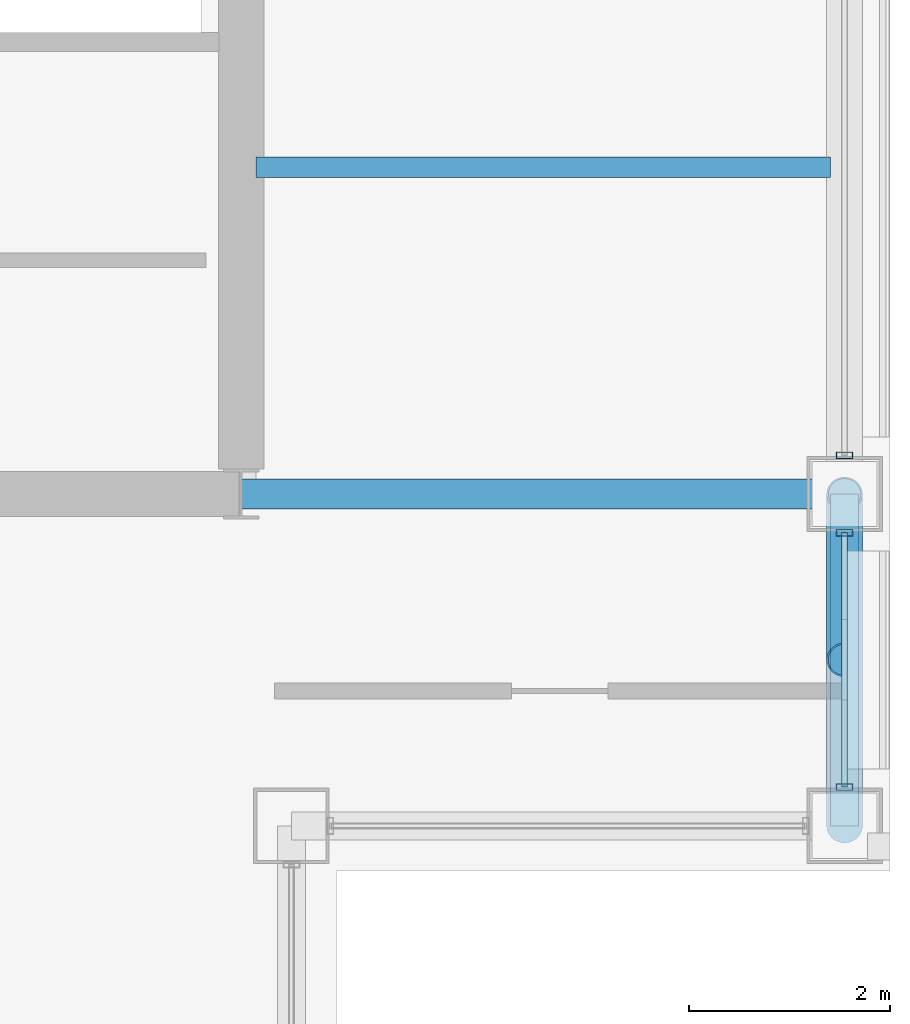
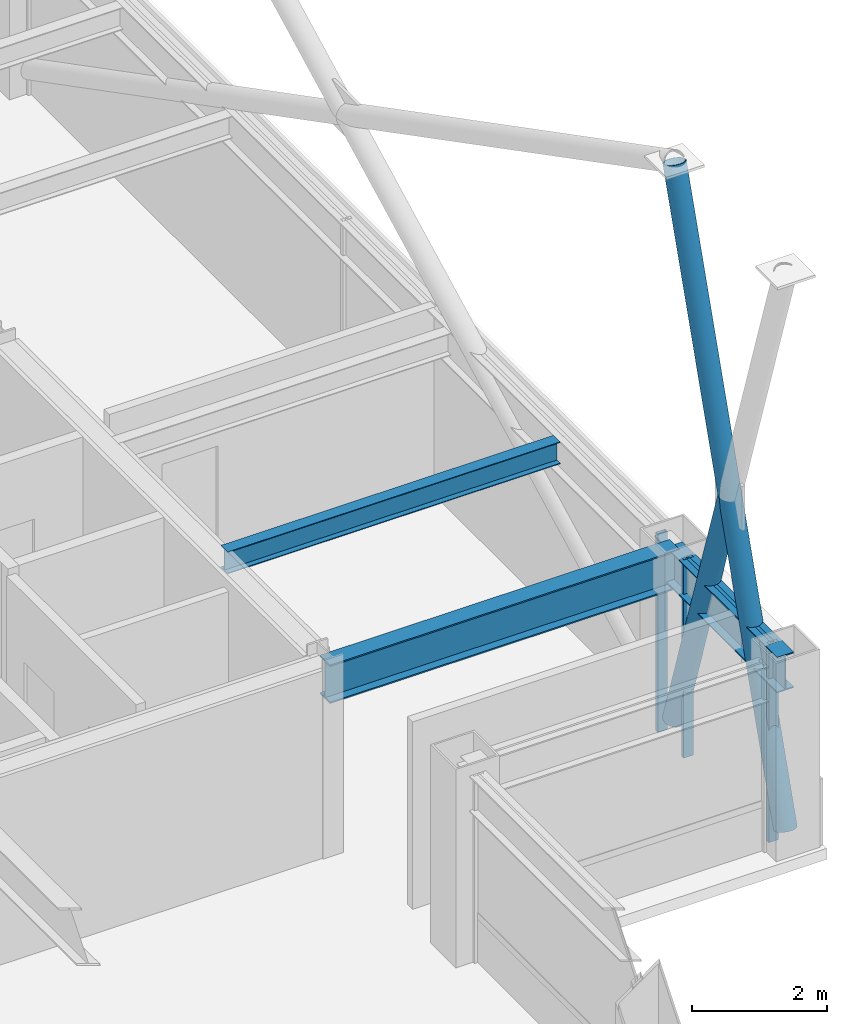
# One storey, part 15 of 32: 6 members, 3 beams, 2 elements without a shape of their own.
"""IFC4 building model written with IfcOpenShell, lengths in metres."""

from ifc_helpers import new_model, si_unit, direction, frame, origin, origin_2d, place, context, subcontext, project, spatial, hollow_rectangle, hollow_circle, i_section, extrude, material, layer, layer_set, material_profile, profile_set, type_object, element, aggregate, save


model = new_model("IFC4")

# Units and contexts
model_context = context("Model", 3, precision=1e-05, world=origin(), true_north=direction((0.0, 1.0)))
body_context = subcontext(model_context, "Body", "Model", "MODEL_VIEW")
ifc_project = project(units=[si_unit("LENGTHUNIT", "METRE"), si_unit("AREAUNIT", "SQUARE_METRE"), si_unit("VOLUMEUNIT", "CUBIC_METRE"), si_unit("PLANEANGLEUNIT", "RADIAN"), si_unit("MASSUNIT", "GRAM", prefix="KILO")], contexts=[model_context])

# Site, building, storey
site_placement = place(None, origin())
site = spatial("IfcSite", under=ifc_project, at=site_placement, CompositionType="ELEMENT")
building_placement = place(site_placement, origin())
building = spatial("IfcBuilding", under=site, at=building_placement, Name="Brelmoor Portico Tower", CompositionType="ELEMENT")
storey_placement = place(building_placement, frame((0.0, 0.0, 162.300048828125)))
storey = spatial("IfcBuildingStorey", under=building, at=storey_placement, Name="L42", CompositionType="ELEMENT", Elevation=162.300048828125)

# Beams
ifc_material_1 = material(Name="Steel Q355B", Category="steel")
ifc_material_profile_1 = material_profile(ifc_material_1, i_section(OverallWidth=0.199951171875, OverallDepth=0.39990234375, WebThickness=0.008056640625, FlangeThickness=0.012939453125, at=origin_2d()), Name="HN 400x200x8x13")
ifc_profile_set_1 = profile_set([ifc_material_profile_1], Name="Steel Q355B")
beam_type_1 = type_object("IfcBeamType", Name="BM-JS-400", PredefinedType="JOIST", material=ifc_profile_set_1)
beam_1_placement = place(storey_placement, frame((14.699951171875, -6.5, 3.199951171875), z_axis=(1.0, 0.0, 0.0), x_axis=(0.0, 1.0, 0.0)))
element("IfcBeam", 1, at=beam_1_placement, inside=storey, type_object=beam_type_1, Name="L42 Secondary Wing Joist JS-E09", PredefinedType="JOIST", context=body_context, shape_type="SweptSolid", body=[
    extrude(i_section(OverallWidth=0.199951171875, OverallDepth=0.39990234375, WebThickness=0.008056640625, FlangeThickness=0.012939453125, at=origin_2d()), origin(), (0.0, 0.0, 1.0), 5.7099609375),
])
ifc_material_profile_2 = material_profile(ifc_material_1, i_section(OverallWidth=0.300048828125, OverallDepth=0.699951171875, WebThickness=0.012939453125, FlangeThickness=0.02392578125, at=origin_2d()), Name="HN 700x300x13x24")
ifc_profile_set_2 = profile_set([ifc_material_profile_2], Name="Steel Q355B")
beam_type_2 = type_object("IfcBeamType", Name="BM-PG-700", PredefinedType="BEAM", material=ifc_profile_set_2)
beam_2_placement = place(storey_placement, frame((14.550048828125, -9.75, 3.050048828125), z_axis=(1.0, 0.0, 0.0), x_axis=(0.0, 1.0, 0.0)))
element("IfcBeam", 2, at=beam_2_placement, inside=storey, type_object=beam_type_2, Name="L42 Primary Floor Girder PG-15", PredefinedType="BEAM", context=body_context, shape_type="SweptSolid", body=[
    extrude(i_section(OverallWidth=0.300048828125, OverallDepth=0.699951171875, WebThickness=0.012939453125, FlangeThickness=0.02392578125, at=origin_2d()), origin(), (0.0, 0.0, 1.0), 6.0),
])
ifc_material_profile_3 = material_profile(ifc_material_1, i_section(OverallWidth=0.280029296875, OverallDepth=0.64990234375, WebThickness=0.012939453125, FlangeThickness=0.02197265625, at=origin_2d()), Name="HN 650x280x13x22")
ifc_profile_set_3 = profile_set([ifc_material_profile_3], Name="Steel Q355B")
beam_type_3 = type_object("IfcBeamType", Name="BM-SP-650", PredefinedType="SPANDREL", material=ifc_profile_set_3)
beam_3_placement = place(storey_placement, frame((20.550048828125, -13.050048828125, 3.074951171875), z_axis=(0.0, 1.0, 0.0), x_axis=(-1.0, 0.0, 0.0)))
element("IfcBeam", 3, at=beam_3_placement, inside=storey, type_object=beam_type_3, Name="L42 Perimeter Spandrel Beam SP-18", PredefinedType="SPANDREL", context=body_context, shape_type="SweptSolid", body=[
    extrude(i_section(OverallWidth=0.280029296875, OverallDepth=0.64990234375, WebThickness=0.012939453125, FlangeThickness=0.02197265625, at=origin_2d()), origin(), (0.0, 0.0, 1.0), 3.300048828125),
])

# Members
ifc_material_profile_4 = material_profile(ifc_material_1, hollow_circle(Radius=0.177978515625, WallThickness=0.01611328125, at=origin_2d()), Name="CHS 356x16")
ifc_profile_set_4 = profile_set([ifc_material_profile_4], Name="Steel Q355B")
member_type_1 = type_object("IfcMemberType", Name="MB-BELT-DIAG2", PredefinedType="BRACE", material=ifc_profile_set_4)
member_1_placement = place(storey_placement, frame((20.550048828125, -13.050048828125, 0.25), z_axis=(0.0, 0.310583561842, 0.950546080479), x_axis=(-1.0, 0.0, 0.0)))
element("IfcMember", 4, at=member_1_placement, inside=storey, type_object=member_type_1, Name="L42 Continuous Mega-X Brace 095A", PredefinedType="BRACE", context=body_context, shape_type="SweptSolid", body=[
    extrude(hollow_circle(Radius=0.177978515625, WallThickness=0.01611328125, at=origin_2d()), origin(), (0.0, 0.0, 1.0), 10.625244140625),
])
member_2_placement = place(storey_placement, frame((20.550048828125, -9.75, 0.25), z_axis=(0.0, -0.310556017859, 0.95055507982), x_axis=(1.0, 0.0, 0.0)))
element("IfcMember", 5, at=member_2_placement, inside=storey, type_object=member_type_1, Name="L42 Split Mega-X Brace 095B1", PredefinedType="BRACE", context=body_context, shape_type="SweptSolid", body=[
    extrude(hollow_circle(Radius=0.177978515625, WallThickness=0.01611328125, at=origin_2d()), origin(), (0.0, 0.0, 1.0), 5.312744140625),
])

# Curtain wall, members
ifc_material_2 = material(Name="Anodised Aluminium Alloy 6063-T6", Category="aluminium")
ifc_layer = layer(ifc_material_2, 0.179931640625)
ifc_layer_set = layer_set([ifc_layer], Name="Anodised Aluminium Alloy 6063-T6")
curtain_wall_type = type_object("IfcCurtainWallType", Name="CW-TOWER-Z3-XB", PredefinedType="NOTDEFINED", material=ifc_layer_set)
curtain_wall_1_placement = place(storey_placement, origin())
curtain_wall_1 = element("IfcCurtainWall", 6, at=curtain_wall_1_placement, inside=storey, type_object=curtain_wall_type, Name="L42 Curtain Wall CW-L42-04-1", PredefinedType="NOTDEFINED")
ifc_material_profile_5 = material_profile(ifc_material_2, hollow_rectangle(XDim=0.06494140625, YDim=0.1650390625, WallThickness=0.00390625, at=origin_2d()), Name="ALU MULLION 65x165")
ifc_profile_set_5 = profile_set([ifc_material_profile_5], Name="Anodised Aluminium Alloy 6063-T6")
member_type_2 = type_object("IfcMemberType", Name="MB-CW-MULL-165", PredefinedType="MULLION", material=ifc_profile_set_5)
member_3_placement = place(storey_placement, frame((20.550048828125, -12.6650390625, -0.199951171875), z_axis=(0.0, 0.0, 1.0), x_axis=(0.0, 1.0, 0.0)))
member_3 = element("IfcMember", 7, at=member_3_placement, type_object=member_type_2, Name="CW-L42-04-1 Mullion 00", PredefinedType="MULLION", context=body_context, shape_type="SweptSolid", body=[
    extrude(hollow_rectangle(XDim=0.06494140625, YDim=0.1650390625, WallThickness=0.00390625, at=origin_2d()), origin(), (0.0, 0.0, 1.0), 3.599853515625),
])
member_4_placement = place(storey_placement, frame((20.550048828125, -10.135009765625, -0.199951171875), z_axis=(0.0, 0.0, 1.0), x_axis=(0.0, 1.0, 0.0)))
member_4 = element("IfcMember", 8, at=member_4_placement, type_object=member_type_2, Name="CW-L42-04-1 Mullion 01", PredefinedType="MULLION", context=body_context, shape_type="SweptSolid", body=[
    extrude(hollow_rectangle(XDim=0.06494140625, YDim=0.1650390625, WallThickness=0.00390625, at=origin_2d()), origin(), (0.0, 0.0, 1.0), 3.599853515625),
])

# Curtain wall, member
curtain_wall_2_placement = place(storey_placement, origin())
curtain_wall_2 = element("IfcCurtainWall", 9, at=curtain_wall_2_placement, inside=storey, type_object=curtain_wall_type, Name="L42 Curtain Wall CW-L42-04-2", PredefinedType="NOTDEFINED")
member_5_placement = place(storey_placement, frame((20.550048828125, -9.364990234375, -0.199951171875), z_axis=(0.0, 0.0, 1.0), x_axis=(0.0, 1.0, 0.0)))
member_5 = element("IfcMember", 10, at=member_5_placement, type_object=member_type_2, Name="CW-L42-04-2 Mullion 00", PredefinedType="MULLION", context=body_context, shape_type="SweptSolid", body=[
    extrude(hollow_rectangle(XDim=0.06494140625, YDim=0.1650390625, WallThickness=0.00390625, at=origin_2d()), origin(), (0.0, 0.0, 1.0), 3.599853515625),
])
aggregate(curtain_wall_2, [member_5])

# Member
ifc_material_profile_6 = material_profile(ifc_material_2, hollow_rectangle(XDim=0.06005859375, YDim=0.125, WallThickness=0.00341796875, at=origin_2d()), Name="ALU TRANSOM 60x125")
ifc_profile_set_6 = profile_set([ifc_material_profile_6], Name="Anodised Aluminium Alloy 6063-T6")
member_type_3 = type_object("IfcMemberType", Name="MB-CW-TRAN-125", PredefinedType="USERDEFINED", material=ifc_profile_set_6)
member_6_placement = place(storey_placement, frame((20.550048828125, -12.6650390625, 3.33740234375), z_axis=(0.0, 1.0, 0.0), x_axis=(-1.0, 0.0, 0.0)))
member_6 = element("IfcMember", 11, at=member_6_placement, type_object=member_type_3, Name="CW-L42-04-1 Transom 1-00", ObjectType="TRANSOM", PredefinedType="USERDEFINED", context=body_context, shape_type="SweptSolid", body=[
    extrude(hollow_rectangle(XDim=0.06005859375, YDim=0.125, WallThickness=0.00341796875, at=origin_2d()), origin(), (0.0, 0.0, 1.0), 2.530029296875),
])

aggregate(curtain_wall_1, [member_3, member_4, member_6])

save(model, "model.ifc")
